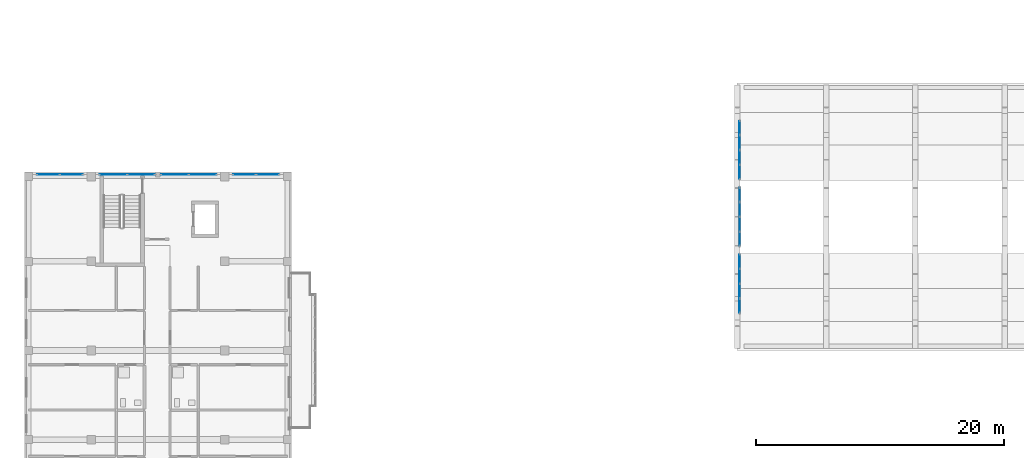
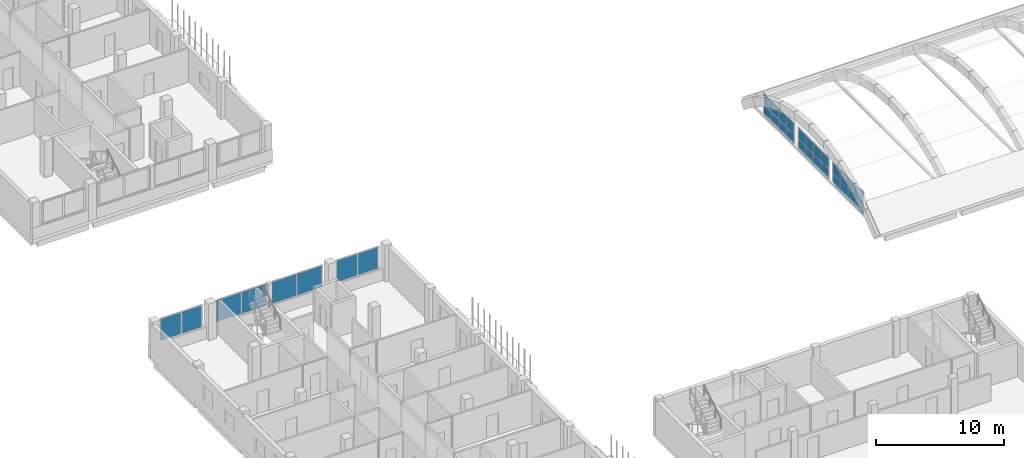
# One storey, part 29 of 73: 32 plates, 7 elements without a shape of their own.
"""IFC4 building model written with IfcOpenShell, lengths in metres."""

from ifc_helpers import new_model, si_unit, derived_unit, direction, frame, origin, origin_2d, place, context, subcontext, project, spatial, rectangle, extrude, material, layer, layer_set, type_object, element, aggregate, save


model = new_model("IFC4")

# Units and contexts
model_context = context("Model", 3, precision=1e-05, world=origin(), true_north=direction((0.0, 1.0)))
body_context = subcontext(model_context, "Body", "Model", "MODEL_VIEW")
ifc_project = project(units=[si_unit("LENGTHUNIT", "METRE"), si_unit("AREAUNIT", "SQUARE_METRE"), si_unit("VOLUMEUNIT", "CUBIC_METRE"), si_unit("PLANEANGLEUNIT", "RADIAN"), si_unit("MASSUNIT", "GRAM", prefix="KILO"), derived_unit("THERMALTRANSMITTANCEUNIT", [(si_unit("MASSUNIT", "GRAM", prefix="KILO"), 1), (si_unit("TIMEUNIT", "SECOND"), -3), (si_unit("THERMODYNAMICTEMPERATUREUNIT", "KELVIN"), -1)])], contexts=[model_context])

# Site, building, storey
site_placement = place(None, origin())
site = spatial("IfcSite", under=ifc_project, at=site_placement, CompositionType="ELEMENT")
building_placement = place(site_placement, origin())
building = spatial("IfcBuilding", under=site, at=building_placement, Name="Ochrekiln Boulevard Commons", CompositionType="ELEMENT")
storey_placement = place(building_placement, frame((0.0, 0.0, 8.574951171875)))
storey = spatial("IfcBuildingStorey", under=building, at=storey_placement, Name="L02", CompositionType="ELEMENT", Elevation=8.574951171875)

# Curtain wall, plates
ifc_material_1 = material(Name="Bronze-anodized extruded aluminium 6063-T6", Category="aluminium")
ifc_layer_1 = layer(ifc_material_1, 0.172119140625)
ifc_layer_set_1 = layer_set([ifc_layer_1], Name="Bronze-anodized extruded aluminium 6063-T6")
curtain_wall_type_1 = type_object("IfcCurtainWallType", Name="CW-GABLE-A", PredefinedType="USERDEFINED", material=ifc_layer_set_1)
curtain_wall_1_placement = place(storey_placement, origin())
curtain_wall_1 = element("IfcCurtainWall", 1, at=curtain_wall_1_placement, inside=storey, type_object=curtain_wall_type_1, Name="Block D L02 Courtyard Glazed Gable Curtain Wall 4", ObjectType="GLAZED CURTAIN WALL", PredefinedType="USERDEFINED")
ifc_material_2 = material(Name="Spectrally selective low-E insulated glazing", Category="glass")
ifc_layer_2 = layer(ifc_material_2, 0.02392578125)
ifc_layer_set_2 = layer_set([ifc_layer_2], Name="Spectrally selective low-E insulated glazing")
plate_type_1 = type_object("IfcPlateType", Name="CWP-GLZ-1", PredefinedType="CURTAIN_PANEL", material=ifc_layer_set_2)
plate_1_placement = place(storey_placement, frame((17.788818359375, 50.217529296875, 1.175048828125), z_axis=(0.0, 0.0, 1.0), x_axis=(1.0, 0.0, 0.0)))
plate_1 = element("IfcPlate", 2, at=plate_1_placement, type_object=plate_type_1, Name="CW-01 panel 1.1", PredefinedType="CURTAIN_PANEL", context=body_context, shape_type="SweptSolid", body=[
    extrude(rectangle(XDim=1.8076171875, YDim=0.02392578125, at=origin_2d()), origin(), (0.0, 0.0, 1.0), 2.0),
])
plate_2_placement = place(storey_placement, frame((19.6611328125, 50.217529296875, 1.175048828125), z_axis=(0.0, 0.0, 1.0), x_axis=(1.0, 0.0, 0.0)))
plate_2 = element("IfcPlate", 3, at=plate_2_placement, type_object=plate_type_1, Name="CW-01 panel 2.1", PredefinedType="CURTAIN_PANEL", context=body_context, shape_type="SweptSolid", body=[
    extrude(rectangle(XDim=1.8076171875, YDim=0.02392578125, at=origin_2d()), origin(), (0.0, 0.0, 1.0), 2.0),
])
aggregate(curtain_wall_1, [plate_1, plate_2])

ifc_layer_3 = layer(ifc_material_1, 0.196044921875)
ifc_layer_set_3 = layer_set([ifc_layer_3], Name="Bronze-anodized extruded aluminium 6063-T6")
curtain_wall_type_2 = type_object("IfcCurtainWallType", Name="CW-HALL", PredefinedType="USERDEFINED", material=ifc_layer_set_3)
curtain_wall_2_placement = place(storey_placement, origin())
curtain_wall_2 = element("IfcCurtainWall", 4, at=curtain_wall_2_placement, inside=storey, type_object=curtain_wall_type_2, Name="Community Hall Vault Tympanum Curtain Wall W-2", ObjectType="GLAZED CURTAIN WALL", PredefinedType="USERDEFINED")
plate_3_placement = place(storey_placement, frame((57.800048828125, 45.016357421875, 0.065185546875), z_axis=(0.0, 0.0, 1.0), x_axis=(0.0, 1.0, 0.0)))
plate_3 = element("IfcPlate", 5, at=plate_3_placement, type_object=plate_type_1, Name="CW-03 panel 1.1", PredefinedType="CURTAIN_PANEL", context=body_context, shape_type="SweptSolid", body=[
    extrude(rectangle(XDim=1.1025390625, YDim=0.02392578125, at=origin_2d()), origin(), (0.0, 0.0, 1.0), 1.00244140625),
])
plate_4_placement = place(storey_placement, frame((57.800048828125, 45.016357421875, 1.132568359375), z_axis=(0.0, 0.0, 1.0), x_axis=(0.0, 1.0, 0.0)))
plate_4 = element("IfcPlate", 6, at=plate_4_placement, type_object=plate_type_1, Name="CW-03 panel 1.2", PredefinedType="CURTAIN_PANEL", context=body_context, shape_type="SweptSolid", body=[
    extrude(rectangle(XDim=1.1025390625, YDim=0.02392578125, at=origin_2d()), origin(), (0.0, 0.0, 1.0), 1.00244140625),
])
plate_5_placement = place(storey_placement, frame((57.800048828125, 46.199951171875, 0.065185546875), z_axis=(0.0, 0.0, 1.0), x_axis=(0.0, 1.0, 0.0)))
plate_5 = element("IfcPlate", 7, at=plate_5_placement, type_object=plate_type_1, Name="CW-03 panel 2.1", PredefinedType="CURTAIN_PANEL", context=body_context, shape_type="SweptSolid", body=[
    extrude(rectangle(XDim=1.135009765625, YDim=0.02392578125, at=origin_2d()), origin(), (0.0, 0.0, 1.0), 1.00244140625),
])
plate_6_placement = place(storey_placement, frame((57.800048828125, 46.199951171875, 1.132568359375), z_axis=(0.0, 0.0, 1.0), x_axis=(0.0, 1.0, 0.0)))
plate_6 = element("IfcPlate", 8, at=plate_6_placement, type_object=plate_type_1, Name="CW-03 panel 2.2", PredefinedType="CURTAIN_PANEL", context=body_context, shape_type="SweptSolid", body=[
    extrude(rectangle(XDim=1.135009765625, YDim=0.02392578125, at=origin_2d()), origin(), (0.0, 0.0, 1.0), 1.00244140625),
])
plate_7_placement = place(storey_placement, frame((57.800048828125, 47.39990234375, 0.065185546875), z_axis=(0.0, 0.0, 1.0), x_axis=(0.0, 1.0, 0.0)))
plate_7 = element("IfcPlate", 9, at=plate_7_placement, type_object=plate_type_1, Name="CW-03 panel 3.1", PredefinedType="CURTAIN_PANEL", context=body_context, shape_type="SweptSolid", body=[
    extrude(rectangle(XDim=1.135009765625, YDim=0.02392578125, at=origin_2d()), origin(), (0.0, 0.0, 1.0), 1.00244140625),
])
plate_8_placement = place(storey_placement, frame((57.800048828125, 47.39990234375, 1.132568359375), z_axis=(0.0, 0.0, 1.0), x_axis=(0.0, 1.0, 0.0)))
plate_8 = element("IfcPlate", 10, at=plate_8_placement, type_object=plate_type_1, Name="CW-03 panel 3.2", PredefinedType="CURTAIN_PANEL", context=body_context, shape_type="SweptSolid", body=[
    extrude(rectangle(XDim=1.135009765625, YDim=0.02392578125, at=origin_2d()), origin(), (0.0, 0.0, 1.0), 1.00244140625),
])
plate_9_placement = place(storey_placement, frame((57.800048828125, 48.583740234375, 0.065185546875), z_axis=(0.0, 0.0, 1.0), x_axis=(0.0, 1.0, 0.0)))
plate_9 = element("IfcPlate", 11, at=plate_9_placement, type_object=plate_type_1, Name="CW-03 panel 4.1", PredefinedType="CURTAIN_PANEL", context=body_context, shape_type="SweptSolid", body=[
    extrude(rectangle(XDim=1.1025390625, YDim=0.02392578125, at=origin_2d()), origin(), (0.0, 0.0, 1.0), 1.00244140625),
])
plate_10_placement = place(storey_placement, frame((57.800048828125, 48.583740234375, 1.132568359375), z_axis=(0.0, 0.0, 1.0), x_axis=(0.0, 1.0, 0.0)))
plate_10 = element("IfcPlate", 12, at=plate_10_placement, type_object=plate_type_1, Name="CW-03 panel 4.2", PredefinedType="CURTAIN_PANEL", context=body_context, shape_type="SweptSolid", body=[
    extrude(rectangle(XDim=1.1025390625, YDim=0.02392578125, at=origin_2d()), origin(), (0.0, 0.0, 1.0), 1.00244140625),
])
aggregate(curtain_wall_2, [plate_3, plate_4, plate_5, plate_6, plate_7, plate_8, plate_9, plate_10])

curtain_wall_3_placement = place(storey_placement, origin())
curtain_wall_3 = element("IfcCurtainWall", 13, at=curtain_wall_3_placement, inside=storey, type_object=curtain_wall_type_1, Name="Block D L02 Courtyard Glazed Gable Curtain Wall 1", ObjectType="GLAZED CURTAIN WALL", PredefinedType="USERDEFINED")
ifc_layer_4 = layer(ifc_material_2, 0.030029296875)
ifc_layer_set_4 = layer_set([ifc_layer_4], Name="Spectrally selective low-E insulated glazing")
plate_type_2 = type_object("IfcPlateType", Name="CWP-GLZ-2", PredefinedType="CURTAIN_PANEL", material=ifc_layer_set_4)
plate_11_placement = place(storey_placement, frame((1.938720703125, 50.217529296875, 1.175048828125), z_axis=(0.0, 0.0, 1.0), x_axis=(1.0, 0.0, 0.0)))
plate_11 = element("IfcPlate", 14, at=plate_11_placement, type_object=plate_type_2, Name="CW-01 panel 1.1", PredefinedType="CURTAIN_PANEL", context=body_context, shape_type="SweptSolid", body=[
    extrude(rectangle(XDim=1.8076171875, YDim=0.030029296875, at=origin_2d()), origin(), (0.0, 0.0, 1.0), 2.0),
])
plate_12_placement = place(storey_placement, frame((3.811279296875, 50.217529296875, 1.175048828125), z_axis=(0.0, 0.0, 1.0), x_axis=(1.0, 0.0, 0.0)))
plate_12 = element("IfcPlate", 15, at=plate_12_placement, type_object=plate_type_2, Name="CW-01 panel 2.1", PredefinedType="CURTAIN_PANEL", context=body_context, shape_type="SweptSolid", body=[
    extrude(rectangle(XDim=1.8076171875, YDim=0.030029296875, at=origin_2d()), origin(), (0.0, 0.0, 1.0), 2.0),
])
aggregate(curtain_wall_3, [plate_11, plate_12])

curtain_wall_4_placement = place(storey_placement, origin())
curtain_wall_4 = element("IfcCurtainWall", 16, at=curtain_wall_4_placement, inside=storey, type_object=curtain_wall_type_2, Name="Community Hall Vault Tympanum Curtain Wall W-3", ObjectType="GLAZED CURTAIN WALL", PredefinedType="USERDEFINED")
plate_13_placement = place(storey_placement, frame((57.800048828125, 50.416259765625, 0.065185546875), z_axis=(0.0, 0.0, 1.0), x_axis=(0.0, 1.0, 0.0)))
plate_13 = element("IfcPlate", 17, at=plate_13_placement, type_object=plate_type_2, Name="CW-03 panel 1.1", PredefinedType="CURTAIN_PANEL", context=body_context, shape_type="SweptSolid", body=[
    extrude(rectangle(XDim=1.1025390625, YDim=0.030029296875, at=origin_2d()), origin(), (0.0, 0.0, 1.0), 1.00244140625),
])
plate_14_placement = place(storey_placement, frame((57.800048828125, 50.416259765625, 1.132568359375), z_axis=(0.0, 0.0, 1.0), x_axis=(0.0, 1.0, 0.0)))
plate_14 = element("IfcPlate", 18, at=plate_14_placement, type_object=plate_type_2, Name="CW-03 panel 1.2", PredefinedType="CURTAIN_PANEL", context=body_context, shape_type="SweptSolid", body=[
    extrude(rectangle(XDim=1.1025390625, YDim=0.030029296875, at=origin_2d()), origin(), (0.0, 0.0, 1.0), 1.00244140625),
])
plate_15_placement = place(storey_placement, frame((57.800048828125, 51.60009765625, 0.065185546875), z_axis=(0.0, 0.0, 1.0), x_axis=(0.0, 1.0, 0.0)))
plate_15 = element("IfcPlate", 19, at=plate_15_placement, type_object=plate_type_2, Name="CW-03 panel 2.1", PredefinedType="CURTAIN_PANEL", context=body_context, shape_type="SweptSolid", body=[
    extrude(rectangle(XDim=1.135009765625, YDim=0.030029296875, at=origin_2d()), origin(), (0.0, 0.0, 1.0), 1.00244140625),
])
plate_16_placement = place(storey_placement, frame((57.800048828125, 51.60009765625, 1.132568359375), z_axis=(0.0, 0.0, 1.0), x_axis=(0.0, 1.0, 0.0)))
plate_16 = element("IfcPlate", 20, at=plate_16_placement, type_object=plate_type_2, Name="CW-03 panel 2.2", PredefinedType="CURTAIN_PANEL", context=body_context, shape_type="SweptSolid", body=[
    extrude(rectangle(XDim=1.135009765625, YDim=0.030029296875, at=origin_2d()), origin(), (0.0, 0.0, 1.0), 1.00244140625),
])
plate_17_placement = place(storey_placement, frame((57.800048828125, 52.800048828125, 0.065185546875), z_axis=(0.0, 0.0, 1.0), x_axis=(0.0, 1.0, 0.0)))
plate_17 = element("IfcPlate", 21, at=plate_17_placement, type_object=plate_type_2, Name="CW-03 panel 3.1", PredefinedType="CURTAIN_PANEL", context=body_context, shape_type="SweptSolid", body=[
    extrude(rectangle(XDim=1.135009765625, YDim=0.030029296875, at=origin_2d()), origin(), (0.0, 0.0, 1.0), 1.00244140625),
])
plate_18_placement = place(storey_placement, frame((57.800048828125, 52.800048828125, 1.132568359375), z_axis=(0.0, 0.0, 1.0), x_axis=(0.0, 1.0, 0.0)))
plate_18 = element("IfcPlate", 22, at=plate_18_placement, type_object=plate_type_2, Name="CW-03 panel 3.2", PredefinedType="CURTAIN_PANEL", context=body_context, shape_type="SweptSolid", body=[
    extrude(rectangle(XDim=1.135009765625, YDim=0.030029296875, at=origin_2d()), origin(), (0.0, 0.0, 1.0), 1.00244140625),
])
plate_19_placement = place(storey_placement, frame((57.800048828125, 53.983642578125, 0.065185546875), z_axis=(0.0, 0.0, 1.0), x_axis=(0.0, 1.0, 0.0)))
plate_19 = element("IfcPlate", 23, at=plate_19_placement, type_object=plate_type_2, Name="CW-03 panel 4.1", PredefinedType="CURTAIN_PANEL", context=body_context, shape_type="SweptSolid", body=[
    extrude(rectangle(XDim=1.1025390625, YDim=0.030029296875, at=origin_2d()), origin(), (0.0, 0.0, 1.0), 1.00244140625),
])
plate_20_placement = place(storey_placement, frame((57.800048828125, 53.983642578125, 1.132568359375), z_axis=(0.0, 0.0, 1.0), x_axis=(0.0, 1.0, 0.0)))
plate_20 = element("IfcPlate", 24, at=plate_20_placement, type_object=plate_type_2, Name="CW-03 panel 4.2", PredefinedType="CURTAIN_PANEL", context=body_context, shape_type="SweptSolid", body=[
    extrude(rectangle(XDim=1.1025390625, YDim=0.030029296875, at=origin_2d()), origin(), (0.0, 0.0, 1.0), 1.00244140625),
])
aggregate(curtain_wall_4, [plate_13, plate_14, plate_15, plate_16, plate_17, plate_18, plate_19, plate_20])

curtain_wall_5_placement = place(storey_placement, origin())
curtain_wall_5 = element("IfcCurtainWall", 25, at=curtain_wall_5_placement, inside=storey, type_object=curtain_wall_type_1, Name="Block D L02 Courtyard Glazed Gable Curtain Wall 2", ObjectType="GLAZED CURTAIN WALL", PredefinedType="USERDEFINED")
ifc_layer_5 = layer(ifc_material_2, 0.035888671875)
ifc_layer_set_5 = layer_set([ifc_layer_5], Name="Spectrally selective low-E insulated glazing")
plate_type_3 = type_object("IfcPlateType", Name="CWP-GLZ-3", PredefinedType="CURTAIN_PANEL", material=ifc_layer_set_5)
plate_21_placement = place(storey_placement, frame((7.18115234375, 50.217529296875, 1.175048828125), z_axis=(0.0, 0.0, 1.0), x_axis=(1.0, 0.0, 0.0)))
plate_21 = element("IfcPlate", 26, at=plate_21_placement, type_object=plate_type_3, Name="CW-01 panel 1.1", PredefinedType="CURTAIN_PANEL", context=body_context, shape_type="SweptSolid", body=[
    extrude(rectangle(XDim=2.1923828125, YDim=0.035888671875, at=origin_2d()), origin(), (0.0, 0.0, 1.0), 2.0),
])
plate_22_placement = place(storey_placement, frame((9.438720703125, 50.217529296875, 1.175048828125), z_axis=(0.0, 0.0, 1.0), x_axis=(1.0, 0.0, 0.0)))
plate_22 = element("IfcPlate", 27, at=plate_22_placement, type_object=plate_type_3, Name="CW-01 panel 2.1", PredefinedType="CURTAIN_PANEL", context=body_context, shape_type="SweptSolid", body=[
    extrude(rectangle(XDim=2.1923828125, YDim=0.035888671875, at=origin_2d()), origin(), (0.0, 0.0, 1.0), 2.0),
])
aggregate(curtain_wall_5, [plate_21, plate_22])

curtain_wall_6_placement = place(storey_placement, origin())
curtain_wall_6 = element("IfcCurtainWall", 28, at=curtain_wall_6_placement, inside=storey, type_object=curtain_wall_type_1, Name="Block D L02 Courtyard Glazed Gable Curtain Wall 3", ObjectType="GLAZED CURTAIN WALL", PredefinedType="USERDEFINED")
ifc_layer_6 = layer(ifc_material_2, 0.0419921875)
ifc_layer_set_6 = layer_set([ifc_layer_6], Name="Spectrally selective low-E insulated glazing")
plate_type_4 = type_object("IfcPlateType", Name="CWP-GLZ-4", PredefinedType="CURTAIN_PANEL", material=ifc_layer_set_6)
plate_23_placement = place(storey_placement, frame((12.1611328125, 50.217529296875, 1.175048828125), z_axis=(0.0, 0.0, 1.0), x_axis=(1.0, 0.0, 0.0)))
plate_23 = element("IfcPlate", 29, at=plate_23_placement, type_object=plate_type_4, Name="CW-01 panel 1.1", PredefinedType="CURTAIN_PANEL", context=body_context, shape_type="SweptSolid", body=[
    extrude(rectangle(XDim=2.1923828125, YDim=0.0419921875, at=origin_2d()), origin(), (0.0, 0.0, 1.0), 2.0),
])
plate_24_placement = place(storey_placement, frame((14.418701171875, 50.217529296875, 1.175048828125), z_axis=(0.0, 0.0, 1.0), x_axis=(1.0, 0.0, 0.0)))
plate_24 = element("IfcPlate", 30, at=plate_24_placement, type_object=plate_type_4, Name="CW-01 panel 2.1", PredefinedType="CURTAIN_PANEL", context=body_context, shape_type="SweptSolid", body=[
    extrude(rectangle(XDim=2.1923828125, YDim=0.0419921875, at=origin_2d()), origin(), (0.0, 0.0, 1.0), 2.0),
])
aggregate(curtain_wall_6, [plate_23, plate_24])

curtain_wall_7_placement = place(storey_placement, origin())
curtain_wall_7 = element("IfcCurtainWall", 31, at=curtain_wall_7_placement, inside=storey, type_object=curtain_wall_type_2, Name="Community Hall Vault Tympanum Curtain Wall W-1", ObjectType="GLAZED CURTAIN WALL", PredefinedType="USERDEFINED")
plate_25_placement = place(storey_placement, frame((57.800048828125, 39.6162109375, 0.065185546875), z_axis=(0.0, 0.0, 1.0), x_axis=(0.0, 1.0, 0.0)))
plate_25 = element("IfcPlate", 32, at=plate_25_placement, type_object=plate_type_4, Name="CW-03 panel 1.1", PredefinedType="CURTAIN_PANEL", context=body_context, shape_type="SweptSolid", body=[
    extrude(rectangle(XDim=1.1025390625, YDim=0.0419921875, at=origin_2d()), origin(), (0.0, 0.0, 1.0), 1.00244140625),
])
plate_26_placement = place(storey_placement, frame((57.800048828125, 39.6162109375, 1.132568359375), z_axis=(0.0, 0.0, 1.0), x_axis=(0.0, 1.0, 0.0)))
plate_26 = element("IfcPlate", 33, at=plate_26_placement, type_object=plate_type_4, Name="CW-03 panel 1.2", PredefinedType="CURTAIN_PANEL", context=body_context, shape_type="SweptSolid", body=[
    extrude(rectangle(XDim=1.1025390625, YDim=0.0419921875, at=origin_2d()), origin(), (0.0, 0.0, 1.0), 1.00244140625),
])
plate_27_placement = place(storey_placement, frame((57.800048828125, 40.800048828125, 0.065185546875), z_axis=(0.0, 0.0, 1.0), x_axis=(0.0, 1.0, 0.0)))
plate_27 = element("IfcPlate", 34, at=plate_27_placement, type_object=plate_type_4, Name="CW-03 panel 2.1", PredefinedType="CURTAIN_PANEL", context=body_context, shape_type="SweptSolid", body=[
    extrude(rectangle(XDim=1.135009765625, YDim=0.0419921875, at=origin_2d()), origin(), (0.0, 0.0, 1.0), 1.00244140625),
])
plate_28_placement = place(storey_placement, frame((57.800048828125, 40.800048828125, 1.132568359375), z_axis=(0.0, 0.0, 1.0), x_axis=(0.0, 1.0, 0.0)))
plate_28 = element("IfcPlate", 35, at=plate_28_placement, type_object=plate_type_4, Name="CW-03 panel 2.2", PredefinedType="CURTAIN_PANEL", context=body_context, shape_type="SweptSolid", body=[
    extrude(rectangle(XDim=1.135009765625, YDim=0.0419921875, at=origin_2d()), origin(), (0.0, 0.0, 1.0), 1.00244140625),
])
plate_29_placement = place(storey_placement, frame((57.800048828125, 42.0, 0.065185546875), z_axis=(0.0, 0.0, 1.0), x_axis=(0.0, 1.0, 0.0)))
plate_29 = element("IfcPlate", 36, at=plate_29_placement, type_object=plate_type_4, Name="CW-03 panel 3.1", PredefinedType="CURTAIN_PANEL", context=body_context, shape_type="SweptSolid", body=[
    extrude(rectangle(XDim=1.135009765625, YDim=0.0419921875, at=origin_2d()), origin(), (0.0, 0.0, 1.0), 1.00244140625),
])
plate_30_placement = place(storey_placement, frame((57.800048828125, 42.0, 1.132568359375), z_axis=(0.0, 0.0, 1.0), x_axis=(0.0, 1.0, 0.0)))
plate_30 = element("IfcPlate", 37, at=plate_30_placement, type_object=plate_type_4, Name="CW-03 panel 3.2", PredefinedType="CURTAIN_PANEL", context=body_context, shape_type="SweptSolid", body=[
    extrude(rectangle(XDim=1.135009765625, YDim=0.0419921875, at=origin_2d()), origin(), (0.0, 0.0, 1.0), 1.00244140625),
])
plate_31_placement = place(storey_placement, frame((57.800048828125, 43.183837890625, 0.065185546875), z_axis=(0.0, 0.0, 1.0), x_axis=(0.0, 1.0, 0.0)))
plate_31 = element("IfcPlate", 38, at=plate_31_placement, type_object=plate_type_4, Name="CW-03 panel 4.1", PredefinedType="CURTAIN_PANEL", context=body_context, shape_type="SweptSolid", body=[
    extrude(rectangle(XDim=1.1025390625, YDim=0.0419921875, at=origin_2d()), origin(), (0.0, 0.0, 1.0), 1.00244140625),
])
plate_32_placement = place(storey_placement, frame((57.800048828125, 43.183837890625, 1.132568359375), z_axis=(0.0, 0.0, 1.0), x_axis=(0.0, 1.0, 0.0)))
plate_32 = element("IfcPlate", 39, at=plate_32_placement, type_object=plate_type_4, Name="CW-03 panel 4.2", PredefinedType="CURTAIN_PANEL", context=body_context, shape_type="SweptSolid", body=[
    extrude(rectangle(XDim=1.1025390625, YDim=0.0419921875, at=origin_2d()), origin(), (0.0, 0.0, 1.0), 1.00244140625),
])
aggregate(curtain_wall_7, [plate_25, plate_26, plate_27, plate_28, plate_29, plate_30, plate_31, plate_32])

save(model, "model.ifc")
